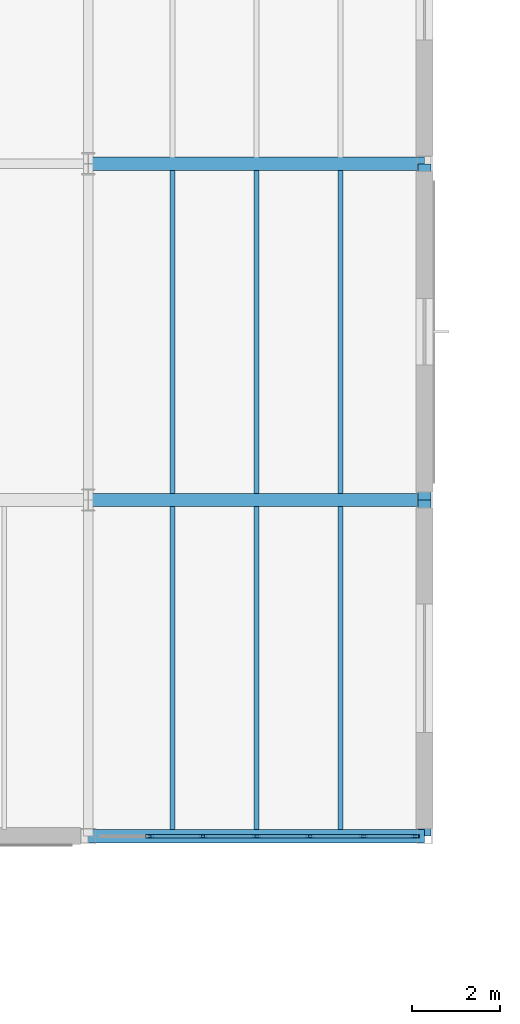
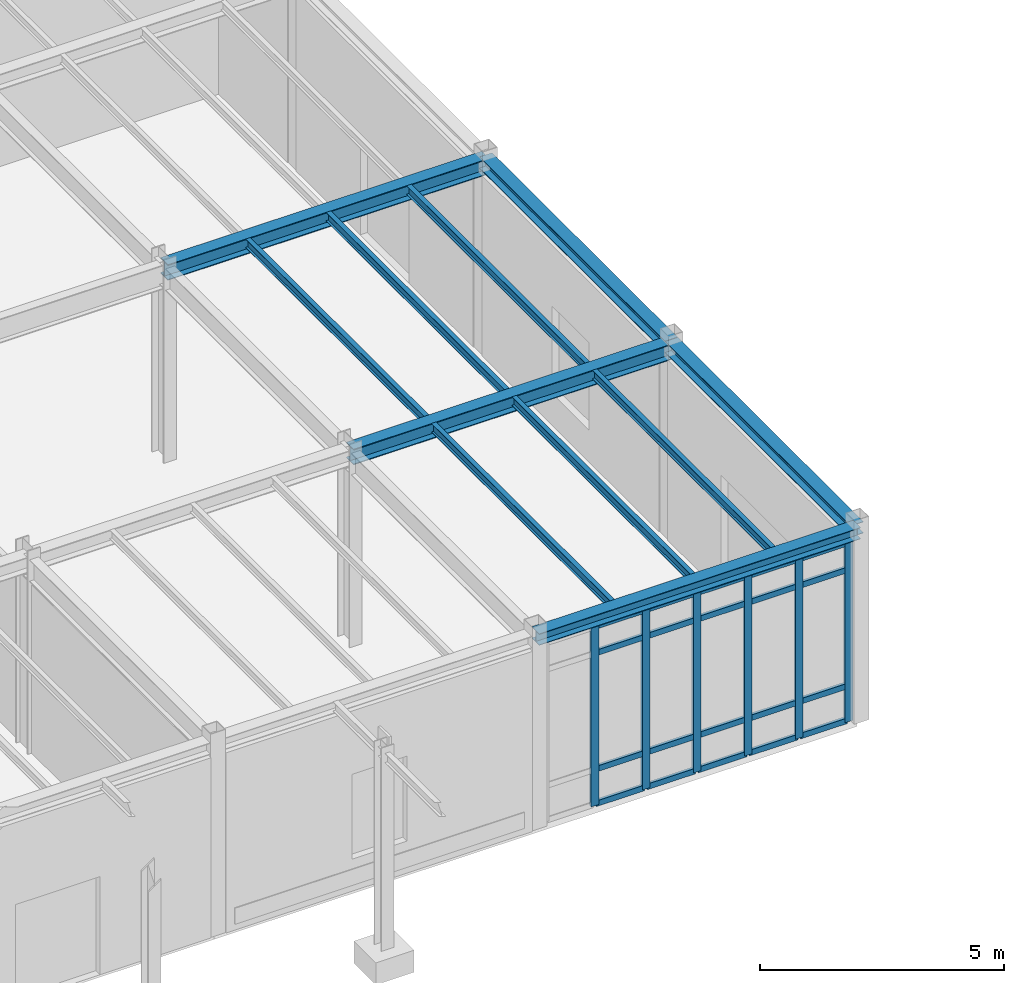
# One storey, part 49 of 109: 26 members, 11 beams, 1 element without a shape of its own.
"""IFC4 building model written with IfcOpenShell, lengths in metres."""

from ifc_helpers import new_model, si_unit, direction, frame, origin, origin_2d, place, context, subcontext, project, spatial, hollow_rectangle, i_section, extrude, material, layer, layer_set, material_profile, profile_set, type_object, element, aggregate, save


model = new_model("IFC4")

# Units and contexts
model_context = context("Model", 3, precision=1e-05, world=origin(), true_north=direction((0.0, 1.0)))
body_context = subcontext(model_context, "Body", "Model", "MODEL_VIEW")
ifc_project = project(units=[si_unit("LENGTHUNIT", "METRE"), si_unit("AREAUNIT", "SQUARE_METRE"), si_unit("VOLUMEUNIT", "CUBIC_METRE"), si_unit("PLANEANGLEUNIT", "RADIAN"), si_unit("MASSUNIT", "GRAM", prefix="KILO")], contexts=[model_context])

# Site, building, storey
site_placement = place(None, origin())
site = spatial("IfcSite", under=ifc_project, at=site_placement, CompositionType="ELEMENT")
building_placement = place(site_placement, origin())
building = spatial("IfcBuilding", under=site, at=building_placement, Name="Montecoro Central Library", CompositionType="ELEMENT")
storey_placement = place(building_placement, origin())
storey = spatial("IfcBuildingStorey", under=building, at=storey_placement, Name="L00", CompositionType="ELEMENT", Elevation=0.0)

# Beams
ifc_material_1 = material(Name="Steel S355", Category="steel")
ifc_material_profile_1 = material_profile(ifc_material_1, i_section(OverallWidth=0.300048828125, OverallDepth=0.389892578125, WebThickness=0.010986328125, FlangeThickness=0.01904296875, at=origin_2d()), Name="HEA 400")
ifc_profile_set_1 = profile_set([ifc_material_profile_1], Name="Steel S355")
beam_type_1 = type_object("IfcBeamType", Name="BM-G-HEA400", PredefinedType="USERDEFINED", material=ifc_profile_set_1)
for number, where, z_axis, x_axis, name in (
    (1, (35.405029296875, 81.0, 4.64990234375), (1.0, 0.0, 0.0), (0.0, 1.0, 0.0), "V4-L00-BX-56-L"),
    (2, (35.405029296875, 88.60009765625, 4.64990234375), (1.0, 0.0, 0.0), (0.0, 1.0, 0.0), "V4-L00-BX-56-M"),
):
    element("IfcBeam", number, at=place(storey_placement, frame(where, z_axis=z_axis, x_axis=x_axis)), inside=storey, type_object=beam_type_1, Name=name, ObjectType="GIRDER", PredefinedType="USERDEFINED", context=body_context, shape_type="SweptSolid", body=[
        extrude(i_section(OverallWidth=0.300048828125, OverallDepth=0.389892578125, WebThickness=0.010986328125, FlangeThickness=0.01904296875, at=origin_2d()), origin(), (0.0, 0.0, 1.0), 7.590087890625),
    ])
ifc_material_profile_2 = material_profile(ifc_material_1, i_section(OverallWidth=0.110107421875, OverallDepth=0.219970703125, WebThickness=0.005859375, FlangeThickness=0.00927734375, at=origin_2d()), Name="IPE 220")
ifc_profile_set_2 = profile_set([ifc_material_profile_2], Name="Steel S355")
beam_type_2 = type_object("IfcBeamType", Name="BM-J-IPE220", PredefinedType="JOIST", material=ifc_profile_set_2)
for number, where, z_axis, x_axis, name in (
    (3, (37.300048828125, 73.547119140625, 4.735107421875), (0.0, 1.0, 0.0), (-1.0, 0.0, 0.0), "V4-L00-JS-56-KL-1"),
    (4, (39.199951171875, 73.547119140625, 4.735107421875), (0.0, 1.0, 0.0), (-1.0, 0.0, 0.0), "V4-L00-JS-56-KL-2"),
    (5, (41.10009765625, 73.547119140625, 4.735107421875), (0.0, 1.0, 0.0), (-1.0, 0.0, 0.0), "V4-L00-JS-56-KL-3"),
    (6, (37.300048828125, 81.14697265625, 4.735107421875), (0.0, 1.0, 0.0), (-1.0, 0.0, 0.0), "V4-L00-JS-56-LM-1"),
    (7, (39.199951171875, 81.14697265625, 4.735107421875), (0.0, 1.0, 0.0), (-1.0, 0.0, 0.0), "V4-L00-JS-56-LM-2"),
    (8, (41.10009765625, 81.14697265625, 4.735107421875), (0.0, 1.0, 0.0), (-1.0, 0.0, 0.0), "V4-L00-JS-56-LM-3"),
):
    element("IfcBeam", number, at=place(storey_placement, frame(where, z_axis=z_axis, x_axis=x_axis)), inside=storey, type_object=beam_type_2, Name=name, PredefinedType="JOIST", context=body_context, shape_type="SweptSolid", body=[
        extrude(i_section(OverallWidth=0.110107421875, OverallDepth=0.219970703125, WebThickness=0.005859375, FlangeThickness=0.00927734375, at=origin_2d()), origin(), (0.0, 0.0, 1.0), 7.305908203125),
    ])
ifc_material_profile_3 = material_profile(ifc_material_1, i_section(OverallWidth=0.300048828125, OverallDepth=0.2900390625, WebThickness=0.008544921875, FlangeThickness=0.013916015625, at=origin_2d()), Name="HEA 300")
ifc_profile_set_3 = profile_set([ifc_material_profile_3], Name="Steel S355")
beam_type_3 = type_object("IfcBeamType", Name="BM-SP-HEA300", PredefinedType="SPANDREL", material=ifc_profile_set_3)
for number, where, z_axis, x_axis, name in (
    (9, (35.405029296875, 73.39990234375, 4.699951171875), (1.0, 0.0, 0.0), (0.0, 1.0, 0.0), "V4-L00-BX-56-K"),
    (10, (43.0, 73.405029296875, 4.699951171875), (0.0, 1.0, 0.0), (-1.0, 0.0, 0.0), "V4-L00-BY-6-KL"),
    (11, (43.0, 81.0048828125, 4.699951171875), (0.0, 1.0, 0.0), (-1.0, 0.0, 0.0), "V4-L00-BY-6-LM"),
):
    element("IfcBeam", number, at=place(storey_placement, frame(where, z_axis=z_axis, x_axis=x_axis)), inside=storey, type_object=beam_type_3, Name=name, PredefinedType="SPANDREL", context=body_context, shape_type="SweptSolid", body=[
        extrude(i_section(OverallWidth=0.300048828125, OverallDepth=0.2900390625, WebThickness=0.008544921875, FlangeThickness=0.013916015625, at=origin_2d()), origin(), (0.0, 0.0, 1.0), 7.590087890625),
    ])

# Curtain wall, members
ifc_material_2 = material(Name="Bronze-anodised aluminium and low-E glazing", Category="aluminium")
ifc_layer = layer(ifc_material_2, 0.159912109375)
ifc_layer_set = layer_set([ifc_layer], Name="Bronze-anodised aluminium and low-E glazing")
curtain_wall_type = type_object("IfcCurtainWallType", Name="CWT-038", PredefinedType="NOTDEFINED", material=ifc_layer_set)
curtain_wall_placement = place(storey_placement, origin())
curtain_wall = element("IfcCurtainWall", 12, at=curtain_wall_placement, inside=storey, type_object=curtain_wall_type, Name="V4-L00-CW-S4", PredefinedType="NOTDEFINED")
ifc_material_3 = material(Name="Bronze-anodised aluminium", Category="aluminium")
ifc_material_profile_4 = material_profile(ifc_material_3, hollow_rectangle(XDim=0.070068359375, YDim=0.179931640625, WallThickness=0.0048828125, at=origin_2d()), Name="CWM 180x70x5.0")
ifc_profile_set_4 = profile_set([ifc_material_profile_4], Name="Bronze-anodised aluminium")
member_type_1 = type_object("IfcMemberType", Name="CWM-BRZ-70", PredefinedType="MULLION", material=ifc_profile_set_4)
member_1_placement = place(storey_placement, frame((36.785400390625, 73.39990234375, 0.0), z_axis=(0.0, 0.0, 1.0), x_axis=(0.0, 1.0, 0.0)))
member_1 = element("IfcMember", 13, at=member_1_placement, type_object=member_type_1, Name="CW-038 mullion 2", PredefinedType="MULLION", context=body_context, shape_type="SweptSolid", body=[
    extrude(hollow_rectangle(XDim=0.070068359375, YDim=0.179931640625, WallThickness=0.0048828125, at=origin_2d()), origin(), (0.0, 0.0, 1.0), 4.5),
])
member_2_placement = place(storey_placement, frame((37.99267578125, 73.39990234375, 0.0), z_axis=(0.0, 0.0, 1.0), x_axis=(0.0, 1.0, 0.0)))
member_2 = element("IfcMember", 14, at=member_2_placement, type_object=member_type_1, Name="CW-038 mullion 3", PredefinedType="MULLION", context=body_context, shape_type="SweptSolid", body=[
    extrude(hollow_rectangle(XDim=0.070068359375, YDim=0.179931640625, WallThickness=0.0048828125, at=origin_2d()), origin(), (0.0, 0.0, 1.0), 4.5),
])
member_3_placement = place(storey_placement, frame((39.199951171875, 73.39990234375, 0.0), z_axis=(0.0, 0.0, 1.0), x_axis=(0.0, 1.0, 0.0)))
member_3 = element("IfcMember", 15, at=member_3_placement, type_object=member_type_1, Name="CW-038 mullion 4", PredefinedType="MULLION", context=body_context, shape_type="SweptSolid", body=[
    extrude(hollow_rectangle(XDim=0.070068359375, YDim=0.179931640625, WallThickness=0.0048828125, at=origin_2d()), origin(), (0.0, 0.0, 1.0), 4.5),
])
member_4_placement = place(storey_placement, frame((40.4072265625, 73.39990234375, 0.0), z_axis=(0.0, 0.0, 1.0), x_axis=(0.0, 1.0, 0.0)))
member_4 = element("IfcMember", 16, at=member_4_placement, type_object=member_type_1, Name="CW-038 mullion 5", PredefinedType="MULLION", context=body_context, shape_type="SweptSolid", body=[
    extrude(hollow_rectangle(XDim=0.070068359375, YDim=0.179931640625, WallThickness=0.0048828125, at=origin_2d()), origin(), (0.0, 0.0, 1.0), 4.5),
])
member_5_placement = place(storey_placement, frame((41.61474609375, 73.39990234375, 0.0), z_axis=(0.0, 0.0, 1.0), x_axis=(0.0, 1.0, 0.0)))
member_5 = element("IfcMember", 17, at=member_5_placement, type_object=member_type_1, Name="CW-038 mullion 6", PredefinedType="MULLION", context=body_context, shape_type="SweptSolid", body=[
    extrude(hollow_rectangle(XDim=0.070068359375, YDim=0.179931640625, WallThickness=0.0048828125, at=origin_2d()), origin(), (0.0, 0.0, 1.0), 4.5),
])
member_6_placement = place(storey_placement, frame((42.787109375, 73.39990234375, 0.0), z_axis=(0.0, 0.0, 1.0), x_axis=(0.0, 1.0, 0.0)))
member_6 = element("IfcMember", 18, at=member_6_placement, type_object=member_type_1, Name="CW-038 mullion 7", PredefinedType="MULLION", context=body_context, shape_type="SweptSolid", body=[
    extrude(hollow_rectangle(XDim=0.070068359375, YDim=0.179931640625, WallThickness=0.0048828125, at=origin_2d()), origin(), (0.0, 0.0, 1.0), 4.5),
])
ifc_material_profile_5 = material_profile(ifc_material_3, hollow_rectangle(XDim=0.070068359375, YDim=0.139892578125, WallThickness=0.00390625, at=origin_2d()), Name="CWT 140x70x4.0")
ifc_profile_set_5 = profile_set([ifc_material_profile_5], Name="Bronze-anodised aluminium")
member_type_2 = type_object("IfcMemberType", Name="CWT-BRZ-70", PredefinedType="USERDEFINED", material=ifc_profile_set_5)
member_7_placement = place(storey_placement, frame((36.8203125, 73.39990234375, 0.034912109375), z_axis=(1.0, 0.0, 0.0), x_axis=(0.0, 1.0, 0.0)))
member_7 = element("IfcMember", 19, at=member_7_placement, type_object=member_type_2, Name="CW-038 transom 2.1", ObjectType="TRANSOM", PredefinedType="USERDEFINED", context=body_context, shape_type="SweptSolid", body=[
    extrude(hollow_rectangle(XDim=0.070068359375, YDim=0.139892578125, WallThickness=0.00390625, at=origin_2d()), origin(), (0.0, 0.0, 1.0), 1.137451171875),
])
member_8_placement = place(storey_placement, frame((36.8203125, 73.39990234375, 0.89990234375), z_axis=(1.0, 0.0, 0.0), x_axis=(0.0, 1.0, 0.0)))
member_8 = element("IfcMember", 20, at=member_8_placement, type_object=member_type_2, Name="CW-038 transom 2.2", ObjectType="TRANSOM", PredefinedType="USERDEFINED", context=body_context, shape_type="SweptSolid", body=[
    extrude(hollow_rectangle(XDim=0.070068359375, YDim=0.139892578125, WallThickness=0.00390625, at=origin_2d()), origin(), (0.0, 0.0, 1.0), 1.137451171875),
])
member_9_placement = place(storey_placement, frame((36.8203125, 73.39990234375, 3.800048828125), z_axis=(1.0, 0.0, 0.0), x_axis=(0.0, 1.0, 0.0)))
member_9 = element("IfcMember", 21, at=member_9_placement, type_object=member_type_2, Name="CW-038 transom 2.3", ObjectType="TRANSOM", PredefinedType="USERDEFINED", context=body_context, shape_type="SweptSolid", body=[
    extrude(hollow_rectangle(XDim=0.070068359375, YDim=0.139892578125, WallThickness=0.00390625, at=origin_2d()), origin(), (0.0, 0.0, 1.0), 1.137451171875),
])
member_10_placement = place(storey_placement, frame((36.8203125, 73.39990234375, 4.465087890625), z_axis=(1.0, 0.0, 0.0), x_axis=(0.0, 1.0, 0.0)))
member_10 = element("IfcMember", 22, at=member_10_placement, type_object=member_type_2, Name="CW-038 transom 2.4", ObjectType="TRANSOM", PredefinedType="USERDEFINED", context=body_context, shape_type="SweptSolid", body=[
    extrude(hollow_rectangle(XDim=0.070068359375, YDim=0.139892578125, WallThickness=0.00390625, at=origin_2d()), origin(), (0.0, 0.0, 1.0), 1.137451171875),
])
member_11_placement = place(storey_placement, frame((38.027587890625, 73.39990234375, 0.034912109375), z_axis=(1.0, 0.0, 0.0), x_axis=(0.0, 1.0, 0.0)))
member_11 = element("IfcMember", 23, at=member_11_placement, type_object=member_type_2, Name="CW-038 transom 3.1", ObjectType="TRANSOM", PredefinedType="USERDEFINED", context=body_context, shape_type="SweptSolid", body=[
    extrude(hollow_rectangle(XDim=0.070068359375, YDim=0.139892578125, WallThickness=0.00390625, at=origin_2d()), origin(), (0.0, 0.0, 1.0), 1.137451171875),
])
member_12_placement = place(storey_placement, frame((38.027587890625, 73.39990234375, 0.89990234375), z_axis=(1.0, 0.0, 0.0), x_axis=(0.0, 1.0, 0.0)))
member_12 = element("IfcMember", 24, at=member_12_placement, type_object=member_type_2, Name="CW-038 transom 3.2", ObjectType="TRANSOM", PredefinedType="USERDEFINED", context=body_context, shape_type="SweptSolid", body=[
    extrude(hollow_rectangle(XDim=0.070068359375, YDim=0.139892578125, WallThickness=0.00390625, at=origin_2d()), origin(), (0.0, 0.0, 1.0), 1.137451171875),
])
member_13_placement = place(storey_placement, frame((38.027587890625, 73.39990234375, 3.800048828125), z_axis=(1.0, 0.0, 0.0), x_axis=(0.0, 1.0, 0.0)))
member_13 = element("IfcMember", 25, at=member_13_placement, type_object=member_type_2, Name="CW-038 transom 3.3", ObjectType="TRANSOM", PredefinedType="USERDEFINED", context=body_context, shape_type="SweptSolid", body=[
    extrude(hollow_rectangle(XDim=0.070068359375, YDim=0.139892578125, WallThickness=0.00390625, at=origin_2d()), origin(), (0.0, 0.0, 1.0), 1.137451171875),
])
member_14_placement = place(storey_placement, frame((38.027587890625, 73.39990234375, 4.465087890625), z_axis=(1.0, 0.0, 0.0), x_axis=(0.0, 1.0, 0.0)))
member_14 = element("IfcMember", 26, at=member_14_placement, type_object=member_type_2, Name="CW-038 transom 3.4", ObjectType="TRANSOM", PredefinedType="USERDEFINED", context=body_context, shape_type="SweptSolid", body=[
    extrude(hollow_rectangle(XDim=0.070068359375, YDim=0.139892578125, WallThickness=0.00390625, at=origin_2d()), origin(), (0.0, 0.0, 1.0), 1.137451171875),
])
member_15_placement = place(storey_placement, frame((39.235107421875, 73.39990234375, 0.034912109375), z_axis=(1.0, 0.0, 0.0), x_axis=(0.0, 1.0, 0.0)))
member_15 = element("IfcMember", 27, at=member_15_placement, type_object=member_type_2, Name="CW-038 transom 4.1", ObjectType="TRANSOM", PredefinedType="USERDEFINED", context=body_context, shape_type="SweptSolid", body=[
    extrude(hollow_rectangle(XDim=0.070068359375, YDim=0.139892578125, WallThickness=0.00390625, at=origin_2d()), origin(), (0.0, 0.0, 1.0), 1.13720703125),
])
member_16_placement = place(storey_placement, frame((39.235107421875, 73.39990234375, 0.89990234375), z_axis=(1.0, 0.0, 0.0), x_axis=(0.0, 1.0, 0.0)))
member_16 = element("IfcMember", 28, at=member_16_placement, type_object=member_type_2, Name="CW-038 transom 4.2", ObjectType="TRANSOM", PredefinedType="USERDEFINED", context=body_context, shape_type="SweptSolid", body=[
    extrude(hollow_rectangle(XDim=0.070068359375, YDim=0.139892578125, WallThickness=0.00390625, at=origin_2d()), origin(), (0.0, 0.0, 1.0), 1.13720703125),
])
member_17_placement = place(storey_placement, frame((39.235107421875, 73.39990234375, 3.800048828125), z_axis=(1.0, 0.0, 0.0), x_axis=(0.0, 1.0, 0.0)))
member_17 = element("IfcMember", 29, at=member_17_placement, type_object=member_type_2, Name="CW-038 transom 4.3", ObjectType="TRANSOM", PredefinedType="USERDEFINED", context=body_context, shape_type="SweptSolid", body=[
    extrude(hollow_rectangle(XDim=0.070068359375, YDim=0.139892578125, WallThickness=0.00390625, at=origin_2d()), origin(), (0.0, 0.0, 1.0), 1.13720703125),
])
member_18_placement = place(storey_placement, frame((39.235107421875, 73.39990234375, 4.465087890625), z_axis=(1.0, 0.0, 0.0), x_axis=(0.0, 1.0, 0.0)))
member_18 = element("IfcMember", 30, at=member_18_placement, type_object=member_type_2, Name="CW-038 transom 4.4", ObjectType="TRANSOM", PredefinedType="USERDEFINED", context=body_context, shape_type="SweptSolid", body=[
    extrude(hollow_rectangle(XDim=0.070068359375, YDim=0.139892578125, WallThickness=0.00390625, at=origin_2d()), origin(), (0.0, 0.0, 1.0), 1.13720703125),
])
member_19_placement = place(storey_placement, frame((40.4423828125, 73.39990234375, 0.034912109375), z_axis=(1.0, 0.0, 0.0), x_axis=(0.0, 1.0, 0.0)))
member_19 = element("IfcMember", 31, at=member_19_placement, type_object=member_type_2, Name="CW-038 transom 5.1", ObjectType="TRANSOM", PredefinedType="USERDEFINED", context=body_context, shape_type="SweptSolid", body=[
    extrude(hollow_rectangle(XDim=0.070068359375, YDim=0.139892578125, WallThickness=0.00390625, at=origin_2d()), origin(), (0.0, 0.0, 1.0), 1.13720703125),
])
member_20_placement = place(storey_placement, frame((40.4423828125, 73.39990234375, 0.89990234375), z_axis=(1.0, 0.0, 0.0), x_axis=(0.0, 1.0, 0.0)))
member_20 = element("IfcMember", 32, at=member_20_placement, type_object=member_type_2, Name="CW-038 transom 5.2", ObjectType="TRANSOM", PredefinedType="USERDEFINED", context=body_context, shape_type="SweptSolid", body=[
    extrude(hollow_rectangle(XDim=0.070068359375, YDim=0.139892578125, WallThickness=0.00390625, at=origin_2d()), origin(), (0.0, 0.0, 1.0), 1.13720703125),
])
member_21_placement = place(storey_placement, frame((40.4423828125, 73.39990234375, 3.800048828125), z_axis=(1.0, 0.0, 0.0), x_axis=(0.0, 1.0, 0.0)))
member_21 = element("IfcMember", 33, at=member_21_placement, type_object=member_type_2, Name="CW-038 transom 5.3", ObjectType="TRANSOM", PredefinedType="USERDEFINED", context=body_context, shape_type="SweptSolid", body=[
    extrude(hollow_rectangle(XDim=0.070068359375, YDim=0.139892578125, WallThickness=0.00390625, at=origin_2d()), origin(), (0.0, 0.0, 1.0), 1.13720703125),
])
member_22_placement = place(storey_placement, frame((40.4423828125, 73.39990234375, 4.465087890625), z_axis=(1.0, 0.0, 0.0), x_axis=(0.0, 1.0, 0.0)))
member_22 = element("IfcMember", 34, at=member_22_placement, type_object=member_type_2, Name="CW-038 transom 5.4", ObjectType="TRANSOM", PredefinedType="USERDEFINED", context=body_context, shape_type="SweptSolid", body=[
    extrude(hollow_rectangle(XDim=0.070068359375, YDim=0.139892578125, WallThickness=0.00390625, at=origin_2d()), origin(), (0.0, 0.0, 1.0), 1.13720703125),
])
member_23_placement = place(storey_placement, frame((41.649658203125, 73.39990234375, 0.034912109375), z_axis=(1.0, 0.0, 0.0), x_axis=(0.0, 1.0, 0.0)))
member_23 = element("IfcMember", 35, at=member_23_placement, type_object=member_type_2, Name="CW-038 transom 6.1", ObjectType="TRANSOM", PredefinedType="USERDEFINED", context=body_context, shape_type="SweptSolid", body=[
    extrude(hollow_rectangle(XDim=0.070068359375, YDim=0.139892578125, WallThickness=0.00390625, at=origin_2d()), origin(), (0.0, 0.0, 1.0), 1.102294921875),
])
member_24_placement = place(storey_placement, frame((41.649658203125, 73.39990234375, 0.89990234375), z_axis=(1.0, 0.0, 0.0), x_axis=(0.0, 1.0, 0.0)))
member_24 = element("IfcMember", 36, at=member_24_placement, type_object=member_type_2, Name="CW-038 transom 6.2", ObjectType="TRANSOM", PredefinedType="USERDEFINED", context=body_context, shape_type="SweptSolid", body=[
    extrude(hollow_rectangle(XDim=0.070068359375, YDim=0.139892578125, WallThickness=0.00390625, at=origin_2d()), origin(), (0.0, 0.0, 1.0), 1.102294921875),
])
member_25_placement = place(storey_placement, frame((41.649658203125, 73.39990234375, 3.800048828125), z_axis=(1.0, 0.0, 0.0), x_axis=(0.0, 1.0, 0.0)))
member_25 = element("IfcMember", 37, at=member_25_placement, type_object=member_type_2, Name="CW-038 transom 6.3", ObjectType="TRANSOM", PredefinedType="USERDEFINED", context=body_context, shape_type="SweptSolid", body=[
    extrude(hollow_rectangle(XDim=0.070068359375, YDim=0.139892578125, WallThickness=0.00390625, at=origin_2d()), origin(), (0.0, 0.0, 1.0), 1.102294921875),
])
member_26_placement = place(storey_placement, frame((41.649658203125, 73.39990234375, 4.465087890625), z_axis=(1.0, 0.0, 0.0), x_axis=(0.0, 1.0, 0.0)))
member_26 = element("IfcMember", 38, at=member_26_placement, type_object=member_type_2, Name="CW-038 transom 6.4", ObjectType="TRANSOM", PredefinedType="USERDEFINED", context=body_context, shape_type="SweptSolid", body=[
    extrude(hollow_rectangle(XDim=0.070068359375, YDim=0.139892578125, WallThickness=0.00390625, at=origin_2d()), origin(), (0.0, 0.0, 1.0), 1.102294921875),
])
aggregate(curtain_wall, [member_1, member_2, member_3, member_4, member_5, member_6, member_7, member_8, member_9, member_10, member_11, member_12, member_13, member_14, member_15, member_16, member_17, member_18, member_19, member_20, member_21, member_22, member_23, member_24, member_25, member_26])

save(model, "model.ifc")
